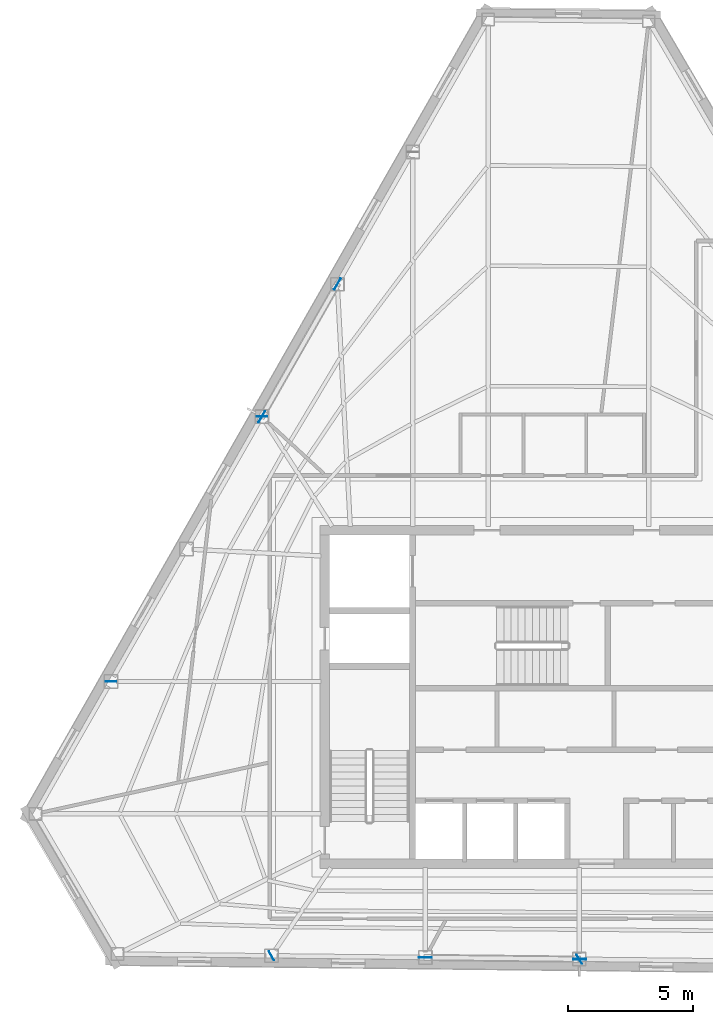
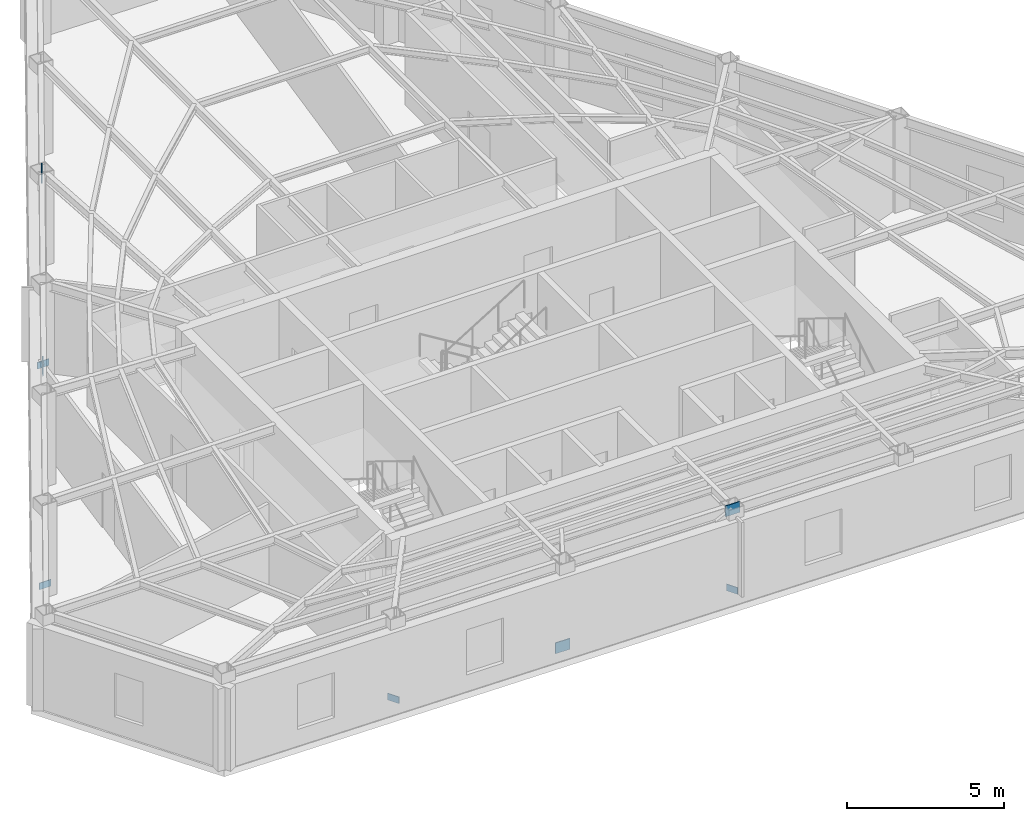
# One storey, part 4 of 10: 8 plates.
"""IFC4 building model written with IfcOpenShell, lengths in metres."""

from ifc_helpers import new_model, si_unit, direction, frame, origin, origin_2d, place, context, subcontext, project, spatial, rectangle, extrude, material, layer, layer_set, type_object, element, save


model = new_model("IFC4")

# Units and contexts
model_context = context("Model", 3, precision=1e-05, world=origin(), true_north=direction((0.0, 1.0)))
body_context = subcontext(model_context, "Body", "Model", "MODEL_VIEW")
ifc_project = project(units=[si_unit("LENGTHUNIT", "METRE"), si_unit("AREAUNIT", "SQUARE_METRE"), si_unit("VOLUMEUNIT", "CUBIC_METRE"), si_unit("PLANEANGLEUNIT", "RADIAN"), si_unit("MASSUNIT", "GRAM", prefix="KILO")], contexts=[model_context])

# Site, building, storey
site_placement = place(None, origin())
site = spatial("IfcSite", under=ifc_project, at=site_placement, CompositionType="ELEMENT")
building_placement = place(site_placement, origin())
building = spatial("IfcBuilding", under=site, at=building_placement, Name="Kavelnor Concourse Tower", CompositionType="ELEMENT")
storey_placement = place(building_placement, frame((0.0, 0.0, 254.89990234375)))
storey = spatial("IfcBuildingStorey", under=building, at=storey_placement, Name="L64", CompositionType="ELEMENT", Elevation=254.89990234375)

# Plates
ifc_material = material(Name="Steel Grade 350", Category="steel")
ifc_layer_1 = layer(ifc_material, 0.031982421875, Name="Steel Grade 350")
ifc_layer_set_1 = layer_set([ifc_layer_1], Name="Steel Grade 350")
plate_type_1 = type_object("IfcPlateType", Name="PL-GUSSET-TUBE-Z1", PredefinedType="USERDEFINED", material=ifc_layer_set_1)
for number, where, z_axis, x_axis, name in (
    (1, (25.760009765625, 27.341796875, 0.01025390625), (0.0, 0.0, 1.0), (0.495155428655, 0.868804409216, 0.0), "L64 Tube Brace Gusset GP3 F0-B2 End Gusset A"),
    (2, (28.798828125, 32.674560546875, 3.197021484375), (0.0, 0.0, 1.0), (0.495155428655, 0.868804409216, 0.0), "L64 Tube Brace Gusset GP3 F0-B2 End Gusset B"),
    (3, (32.312744140625, 5.653564453125, 0.01025390625), (0.0, 0.0, 1.0), (0.999937615001, -0.011169874929, 0.0), "L64 Tube Brace Gusset GP3 F1-B2 End Gusset A"),
    (4, (38.51220703125, 5.584228515625, 3.197021484375), (0.0, 0.0, 1.0), (0.999937615001, -0.011169874929, 0.0), "L64 Tube Brace Gusset GP3 F1-B2 End Gusset B"),
):
    element("IfcPlate", number, at=place(storey_placement, frame(where, z_axis=z_axis, x_axis=x_axis)), inside=storey, type_object=plate_type_1, Name=name, ObjectType="GUSSET_PLATE", PredefinedType="USERDEFINED", context=body_context, shape_type="SweptSolid", body=[
        extrude(rectangle(XDim=0.52001953125, YDim=0.031982421875, at=origin_2d()), origin(), (0.0, 0.0, 1.0), 0.419921875),
    ])
ifc_layer_2 = layer(ifc_material, 0.02490234375, Name="Steel Grade 350")
ifc_layer_set_2 = layer_set([ifc_layer_2], Name="Steel Grade 350")
plate_type_2 = type_object("IfcPlateType", Name="PL-SPLICE-FLANGE", PredefinedType="SHEET", material=ifc_layer_set_2)
for number, where, z_axis, x_axis, name in (
    (5, (25.765869140625, 27.352294921875, 0.169921875), (0.0, 0.0, 1.0), (1.0, 0.0, 0.0), "L64 Column Flange Splice Plate F0-B3"),
    (6, (19.7119140625, 16.728271484375, 0.169921875), (0.0, 0.0, 1.0), (1.0, 0.0, 0.0), "L64 Column Flange Splice Plate F0-B5"),
    (7, (26.1494140625, 5.72265625, 0.169921875), (0.0, 0.0, 1.0), (-0.5, 0.866025403784, 0.0), "L64 Column Flange Splice Plate F1-B1"),
    (8, (38.500244140625, 5.58447265625, 0.169921875), (0.0, 0.0, 1.0), (-0.5, 0.866025403784, 0.0), "L64 Column Flange Splice Plate F1-B3"),
):
    element("IfcPlate", number, at=place(storey_placement, frame(where, z_axis=z_axis, x_axis=x_axis)), inside=storey, type_object=plate_type_2, Name=name, PredefinedType="SHEET", context=body_context, shape_type="SweptSolid", body=[
        extrude(rectangle(XDim=0.419921875, YDim=0.02490234375, at=origin_2d()), origin(), (0.0, 0.0, 1.0), 0.260009765625),
    ])

save(model, "model.ifc")
